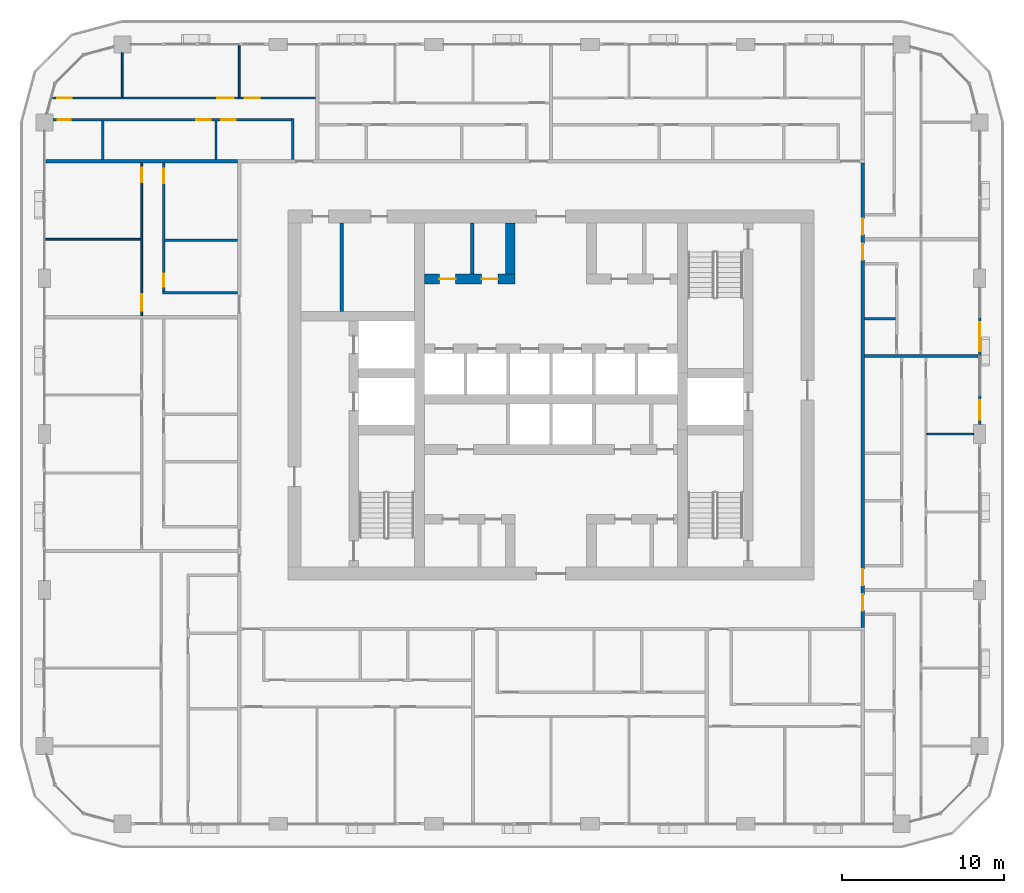
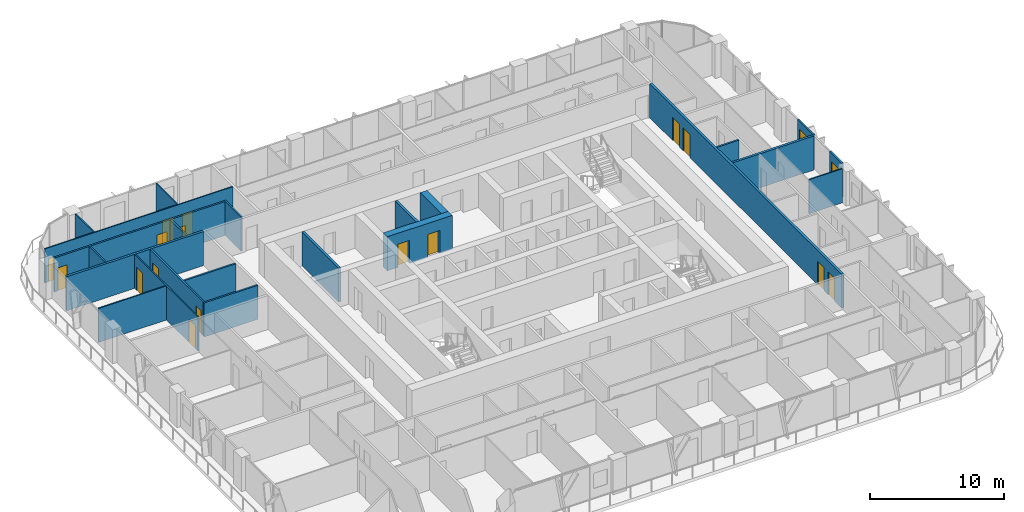
# One storey, part 13 of 22: 23 walls, 17 doors, 1 window, 18 openings.
"""IFC4 building model written with IfcOpenShell, lengths in metres."""

from ifc_helpers import new_model, si_unit, direction, frame, frame_2d, origin, place, context, subcontext, project, spatial, rectangle, extrude, material, layer, layer_set, type_object, element, fill, save


model = new_model("IFC4")

# Units and contexts
model_context = context("Model", 3, precision=1e-05, world=origin(), true_north=direction((0.0, 1.0)))
body_context = subcontext(model_context, "Body", "Model", "MODEL_VIEW")
ifc_project = project(units=[si_unit("LENGTHUNIT", "METRE"), si_unit("AREAUNIT", "SQUARE_METRE"), si_unit("VOLUMEUNIT", "CUBIC_METRE"), si_unit("PLANEANGLEUNIT", "RADIAN"), si_unit("MASSUNIT", "GRAM", prefix="KILO")], contexts=[model_context])

# Site, building, storey
site_placement = place(None, origin())
site = spatial("IfcSite", under=ifc_project, at=site_placement, CompositionType="ELEMENT")
building_placement = place(site_placement, origin())
building = spatial("IfcBuilding", under=site, at=building_placement, Name="Madar Terraces", CompositionType="ELEMENT")
storey_placement = place(building_placement, frame((0.0, 0.0, 170.0)))
storey = spatial("IfcBuildingStorey", under=building, at=storey_placement, Name="L44", CompositionType="ELEMENT", Elevation=170.0)

# Wall, openings, doors
ifc_material_1 = material(Name="Concrete C70/85", Category="concrete")
ifc_layer_1 = layer(ifc_material_1, 0.60009765625)
ifc_layer_set_1 = layer_set([ifc_layer_1], Name="Concrete C70/85 (CIW3 RC wall 600)")
wall_type_1 = type_object("IfcWallType", Name="CIW3 RC wall 600", PredefinedType="SHEAR", material=ifc_layer_set_1)
wall_1_placement = place(storey_placement, frame((23.39990234375, 33.550048828125, 0.0), z_axis=(0.0, 0.0, 1.0), x_axis=(1.0, 0.0, 0.0)))
wall_1 = element("IfcWall", 1, at=wall_1_placement, inside=storey, type_object=wall_type_1, Name="CORE SHAFT WALL", PredefinedType="SHEAR", context=body_context, shape_type="SweptSolid", body=[
    extrude(rectangle(XDim=5.60009765625, YDim=0.60009765625, at=frame_2d((2.800048828125, 0.0))), origin(), (0.0, 0.0, 1.0), 3.10009765625),
])
opening_1_placement = place(wall_1_placement, frame((0.925048828125, 0.0, 0.0)))
opening_1 = element("IfcOpeningElement", 2, at=opening_1_placement, cuts=wall_1, Name="Opening KD2", PredefinedType="OPENING", context=body_context, shape_type="SweptSolid", body=[
    extrude(rectangle(XDim=1.0, YDim=2.10009765625, at=frame_2d((0.5, 1.050048828125))), frame((0.0, 0.31005859375, 0.0), z_axis=(0.0, -1.0, 0.0), x_axis=(1.0, 0.0, 0.0)), (0.0, 0.0, 1.0), 0.6201171875),
])
opening_2_placement = place(wall_1_placement, frame((3.52490234375, 0.0, 0.0)))
opening_2 = element("IfcOpeningElement", 3, at=opening_2_placement, cuts=wall_1, Name="Opening KD2", PredefinedType="OPENING", context=body_context, shape_type="SweptSolid", body=[
    extrude(rectangle(XDim=1.0, YDim=2.10009765625, at=frame_2d((0.5, 1.050048828125))), frame((0.0, 0.31005859375, 0.0), z_axis=(0.0, -1.0, 0.0), x_axis=(1.0, 0.0, 0.0)), (0.0, 0.0, 1.0), 0.6201171875),
])
ifc_material_2 = material(Name="Steel door leaf", Category="steel")
door_type_1 = type_object("IfcDoorType", Name="Service room door 1000 x 2100", OperationType="NOTDEFINED", PredefinedType="DOOR", material=ifc_material_2)
door_1_placement = place(opening_1_placement, frame((1.0, 0.0, 0.0), z_axis=(0.0, 0.0, 1.0), x_axis=(-1.0, 0.0, 0.0)))
door_1 = element("IfcDoor", 4, at=door_1_placement, inside=storey, type_object=door_type_1, Name="SERVICE ROOM DOOR", OperationType="SINGLE_SWING_RIGHT", OverallHeight=2.10009765625, OverallWidth=1.0, PredefinedType="DOOR", context=body_context, shape_type="SweptSolid", body=[
    extrude(rectangle(XDim=1.0, YDim=2.10009765625, at=frame_2d((0.5, 1.050048828125))), frame((0.0, 0.02490234375, 0.0), z_axis=(0.0, -1.0, 0.0), x_axis=(1.0, 0.0, 0.0)), (0.0, 0.0, 1.0), 0.050048828125),
])
fill(opening_1, door_1)
door_2_placement = place(opening_2_placement, frame((1.0, 0.0, 0.0), z_axis=(0.0, 0.0, 1.0), x_axis=(-1.0, 0.0, 0.0)))
door_2 = element("IfcDoor", 5, at=door_2_placement, inside=storey, type_object=door_type_1, Name="SERVICE ROOM DOOR", OperationType="SINGLE_SWING_LEFT", OverallHeight=2.10009765625, OverallWidth=1.0, PredefinedType="DOOR", context=body_context, shape_type="SweptSolid", body=[
    extrude(rectangle(XDim=1.0, YDim=2.10009765625, at=frame_2d((0.5, 1.050048828125))), frame((0.0, 0.02490234375, 0.0), z_axis=(0.0, -1.0, 0.0), x_axis=(1.0, 0.0, 0.0)), (0.0, 0.0, 1.0), 0.050048828125),
])
fill(opening_2, door_2)

# Walls
wall_2_placement = place(storey_placement, frame((28.699951171875, 33.85009765625, 0.0), z_axis=(0.0, 0.0, 1.0), x_axis=(0.0, 1.0, 0.0)))
element("IfcWall", 6, at=wall_2_placement, inside=storey, type_object=wall_type_1, Name="CORE SHAFT WALL", PredefinedType="SHEAR", context=body_context, shape_type="SweptSolid", body=[
    extrude(rectangle(XDim=3.14990234375, YDim=0.60009765625, at=frame_2d((1.574951171875, 0.0))), origin(), (0.0, 0.0, 1.0), 3.10009765625),
])
ifc_material_3 = material(Name="Masonry blockwork", Category="masonry")
ifc_layer_2 = layer(ifc_material_3, 0.199951171875)
ifc_layer_set_2 = layer_set([ifc_layer_2], Name="Core partition 200 blockwork")
wall_type_2 = type_object("IfcWallType", Name="Core partition 200 blockwork", PredefinedType="PARTITIONING", material=ifc_layer_set_2)
wall_3_placement = place(storey_placement, frame((18.320068359375, 31.550048828125, 0.0), z_axis=(0.0, 0.0, 1.0), x_axis=(0.0, 1.0, 0.0)))
element("IfcWall", 7, at=wall_3_placement, inside=storey, type_object=wall_type_2, Name="SERVICE ROOM PARTITION", PredefinedType="PARTITIONING", context=body_context, shape_type="SweptSolid", body=[
    extrude(rectangle(XDim=5.449951171875, YDim=0.199951171875, at=frame_2d((2.72509765625, 0.0))), origin(), (0.0, 0.0, 1.0), 3.10009765625),
])
wall_4_placement = place(storey_placement, frame((26.35009765625, 33.85009765625, 0.0), z_axis=(0.0, 0.0, 1.0), x_axis=(0.0, 1.0, 0.0)))
element("IfcWall", 8, at=wall_4_placement, inside=storey, type_object=wall_type_2, Name="SERVICE ROOM PARTITION", PredefinedType="PARTITIONING", context=body_context, shape_type="SweptSolid", body=[
    extrude(rectangle(XDim=3.14990234375, YDim=0.199951171875, at=frame_2d((1.574951171875, 0.0))), origin(), (0.0, 0.0, 1.0), 3.10009765625),
])

# Wall, opening, window
ifc_material_4 = material(Name="Aluminium composite panel, black, over insulated backing", Category="aluminium")
ifc_layer_3 = layer(ifc_material_4, 0.14990234375)
ifc_layer_set_3 = layer_set([ifc_layer_3], Name="Facade bay panel 150")
wall_type_3 = type_object("IfcWallType", Name="Facade bay panel 150", PredefinedType="SOLIDWALL", material=ifc_layer_set_3)
wall_5_placement = place(storey_placement, frame((57.60009765625, 24.574951171875, 0.0), z_axis=(0.0, 0.0, 1.0), x_axis=(0.0, 1.0, 0.0)))
wall_5 = element("IfcWall", 9, at=wall_5_placement, inside=storey, type_object=wall_type_3, Name="Facade bay panel", PredefinedType="SOLIDWALL", context=body_context, shape_type="SweptSolid", body=[
    extrude(rectangle(XDim=1.824951171875, YDim=0.14990234375, at=frame_2d((0.91259765625, 0.0))), origin(), (0.0, 0.0, 1.0), 3.10009765625),
])
opening_3_placement = place(wall_5_placement, frame((0.3125, 0.0, 0.89990234375)))
opening_3 = element("IfcOpeningElement", 10, at=opening_3_placement, cuts=wall_5, Name="Opening W1", PredefinedType="OPENING", context=body_context, shape_type="SweptSolid", body=[
    extrude(rectangle(XDim=1.199951171875, YDim=1.39990234375, at=frame_2d((0.60009765625, 0.699951171875))), frame((0.0, 0.0849609375, 0.0), z_axis=(0.0, -1.0, 0.0), x_axis=(1.0, 0.0, 0.0)), (0.0, 0.0, 1.0), 0.169921875),
])
ifc_material_5 = material(Name="Glass, clear, with black aluminium frame", Category="aluminium")
window_type = type_object("IfcWindowType", Name="Vent window 1200 x 1400", PartitioningType="SINGLE_PANEL", PredefinedType="WINDOW", material=ifc_material_5)
window_placement = place(opening_3_placement, origin())
window = element("IfcWindow", 11, at=window_placement, inside=storey, type_object=window_type, Name="Operable vent window", OverallHeight=1.39990234375, OverallWidth=1.199951171875, PartitioningType="SINGLE_PANEL", PredefinedType="WINDOW", context=body_context, shape_type="SweptSolid", body=[
    extrude(rectangle(XDim=1.199951171875, YDim=1.39990234375, at=frame_2d((0.60009765625, 0.699951171875))), frame((0.0, 0.030029296875, 0.0), z_axis=(0.0, -1.0, 0.0), x_axis=(1.0, 0.0, 0.0)), (0.0, 0.0, 1.0), 0.06005859375),
])
fill(opening_3, window)

# Wall, opening, door
wall_6_placement = place(storey_placement, frame((57.60009765625, 28.800048828125, 0.0), z_axis=(0.0, 0.0, 1.0), x_axis=(0.0, 1.0, 0.0)))
wall_6 = element("IfcWall", 12, at=wall_6_placement, inside=storey, type_object=wall_type_3, Name="Facade bay panel", PredefinedType="SOLIDWALL", context=body_context, shape_type="SweptSolid", body=[
    extrude(rectangle(XDim=2.39990234375, YDim=0.14990234375, at=frame_2d((1.199951171875, 0.0))), origin(), (0.0, 0.0, 1.0), 3.10009765625),
])
opening_4_placement = place(wall_6_placement, frame((0.300048828125, 0.0, 0.0)))
opening_4 = element("IfcOpeningElement", 13, at=opening_4_placement, cuts=wall_6, Name="Opening ED1", PredefinedType="OPENING", context=body_context, shape_type="SweptSolid", body=[
    extrude(rectangle(XDim=1.800048828125, YDim=2.39990234375, at=frame_2d((0.89990234375, 1.199951171875))), frame((0.0, 0.0849609375, 0.0), z_axis=(0.0, -1.0, 0.0), x_axis=(1.0, 0.0, 0.0)), (0.0, 0.0, 1.0), 0.169921875),
])
ifc_material_6 = material(Name="Glass, clear, with black aluminium frame", Category="aluminium")
door_type_2 = type_object("IfcDoorType", Name="Balcony and terrace sliding door 1800 x 2400", OperationType="SLIDING_TO_LEFT", PredefinedType="DOOR", material=ifc_material_6)
door_3_placement = place(opening_4_placement, origin())
door_3 = element("IfcDoor", 14, at=door_3_placement, inside=storey, type_object=door_type_2, Name="Balcony door", OperationType="SLIDING_TO_RIGHT", OverallHeight=2.39990234375, OverallWidth=1.800048828125, PredefinedType="DOOR", context=body_context, shape_type="SweptSolid", body=[
    extrude(rectangle(XDim=1.800048828125, YDim=2.39990234375, at=frame_2d((0.89990234375, 1.199951171875))), frame((0.0, 0.02490234375, 0.0), z_axis=(0.0, -1.0, 0.0), x_axis=(1.0, 0.0, 0.0)), (0.0, 0.0, 1.0), 0.050048828125),
])
fill(opening_4, door_3)

# Walls
ifc_material_7 = material(Name="Gypsum board on steel studs", Category="steel")
ifc_layer_4 = layer(ifc_material_7, 0.10009765625)
ifc_layer_set_4 = layer_set([ifc_layer_4], Name="Flat partition 100")
wall_type_4 = type_object("IfcWallType", Name="Flat partition 100", PredefinedType="PARTITIONING", material=ifc_layer_set_4)
wall_7_placement = place(storey_placement, frame((54.35009765625, 24.0, 0.0), z_axis=(0.0, 0.0, 1.0), x_axis=(1.0, 0.0, 0.0)))
element("IfcWall", 15, at=wall_7_placement, inside=storey, type_object=wall_type_4, Name="Flat partition 100", PredefinedType="PARTITIONING", context=body_context, shape_type="SweptSolid", body=[
    extrude(rectangle(XDim=2.875, YDim=0.10009765625, at=frame_2d((1.4375, 0.0))), origin(), (0.0, 0.0, 1.0), 3.10009765625),
])
wall_8_placement = place(storey_placement, frame((12.0, 44.75, 0.0), z_axis=(0.0, 0.0, 1.0), x_axis=(0.0, 1.0, 0.0)))
element("IfcWall", 16, at=wall_8_placement, inside=storey, type_object=wall_type_4, Name="Flat partition 100", PredefinedType="PARTITIONING", context=body_context, shape_type="SweptSolid", body=[
    extrude(rectangle(XDim=3.14990234375, YDim=0.10009765625, at=frame_2d((1.574951171875, 0.0))), origin(), (0.0, 0.0, 1.0), 3.10009765625),
])
wall_9_placement = place(storey_placement, frame((4.800048828125, 44.75, 0.0), z_axis=(0.0, 0.0, 1.0), x_axis=(0.0, 1.0, 0.0)))
element("IfcWall", 17, at=wall_9_placement, inside=storey, type_object=wall_type_4, Name="Flat partition 100", PredefinedType="PARTITIONING", context=body_context, shape_type="SweptSolid", body=[
    extrude(rectangle(XDim=2.72509765625, YDim=0.10009765625, at=frame_2d((1.362548828125, 0.0))), origin(), (0.0, 0.0, 1.0), 3.10009765625),
])

# Wall, openings, doors
wall_10_placement = place(storey_placement, frame((0.501953125, 44.699951171875, 0.0), z_axis=(0.0, 0.0, 1.0), x_axis=(1.0, 0.0, 0.0)))
wall_10 = element("IfcWall", 18, at=wall_10_placement, inside=storey, type_object=wall_type_4, Name="Flat partition 100", PredefinedType="PARTITIONING", context=body_context, shape_type="SweptSolid", body=[
    extrude(rectangle(XDim=16.197998046875, YDim=0.10009765625, at=frame_2d((8.09912109375, 0.0))), origin(), (0.0, 0.0, 1.0), 3.10009765625),
])
opening_5_placement = place(wall_10_placement, frame((11.84814453125, 0.0, 0.0)))
opening_5 = element("IfcOpeningElement", 19, at=opening_5_placement, cuts=wall_10, Name="Opening D2", PredefinedType="OPENING", context=body_context, shape_type="SweptSolid", body=[
    extrude(rectangle(XDim=0.89990234375, YDim=2.10009765625, at=frame_2d((0.449951171875, 1.050048828125))), frame((0.0, 0.06005859375, 0.0), z_axis=(0.0, -1.0, 0.0), x_axis=(1.0, 0.0, 0.0)), (0.0, 0.0, 1.0), 0.1201171875),
])
opening_6_placement = place(wall_10_placement, frame((10.148193359375, 0.0, 0.0)))
opening_6 = element("IfcOpeningElement", 20, at=opening_6_placement, cuts=wall_10, Name="Opening D3", PredefinedType="OPENING", context=body_context, shape_type="SweptSolid", body=[
    extrude(rectangle(XDim=1.0, YDim=2.10009765625, at=frame_2d((0.5, 1.050048828125))), frame((0.0, 0.06005859375, 0.0), z_axis=(0.0, -1.0, 0.0), x_axis=(1.0, 0.0, 0.0)), (0.0, 0.0, 1.0), 0.1201171875),
])
opening_7_placement = place(wall_10_placement, frame((0.300048828125, 0.0, 0.0)))
opening_7 = element("IfcOpeningElement", 21, at=opening_7_placement, cuts=wall_10, Name="Opening D2", PredefinedType="OPENING", context=body_context, shape_type="SweptSolid", body=[
    extrude(rectangle(XDim=0.89990234375, YDim=2.10009765625, at=frame_2d((0.449951171875, 1.050048828125))), frame((0.0, 0.06005859375, 0.0), z_axis=(0.0, -1.0, 0.0), x_axis=(1.0, 0.0, 0.0)), (0.0, 0.0, 1.0), 0.1201171875),
])
ifc_material_8 = material(Name="Timber door leaf", Category="wood")
door_type_3 = type_object("IfcDoorType", Name="Flat living room door 1000", OperationType="NOTDEFINED", PredefinedType="DOOR", material=ifc_material_8)
door_4_placement = place(opening_6_placement, origin())
door_4 = element("IfcDoor", 22, at=door_4_placement, inside=storey, type_object=door_type_3, Name="Flat living room door 1000", OperationType="SINGLE_SWING_RIGHT", OverallHeight=2.10009765625, OverallWidth=1.0, PredefinedType="DOOR", context=body_context, shape_type="SweptSolid", body=[
    extrude(rectangle(XDim=1.0, YDim=2.10009765625, at=frame_2d((0.5, 1.050048828125))), frame((0.0, 0.02490234375, 0.0), z_axis=(0.0, -1.0, 0.0), x_axis=(1.0, 0.0, 0.0)), (0.0, 0.0, 1.0), 0.050048828125),
])
fill(opening_6, door_4)
ifc_material_9 = material(Name="Timber door leaf", Category="wood")
door_type_4 = type_object("IfcDoorType", Name="Flat room door 900", OperationType="NOTDEFINED", PredefinedType="DOOR", material=ifc_material_9)
door_5_placement = place(opening_5_placement, origin())
door_5 = element("IfcDoor", 23, at=door_5_placement, inside=storey, type_object=door_type_4, Name="Flat room door 900", OperationType="SINGLE_SWING_LEFT", OverallHeight=2.10009765625, OverallWidth=0.89990234375, PredefinedType="DOOR", context=body_context, shape_type="SweptSolid", body=[
    extrude(rectangle(XDim=0.89990234375, YDim=2.10009765625, at=frame_2d((0.449951171875, 1.050048828125))), frame((0.0, 0.02490234375, 0.0), z_axis=(0.0, -1.0, 0.0), x_axis=(1.0, 0.0, 0.0)), (0.0, 0.0, 1.0), 0.050048828125),
])
fill(opening_5, door_5)
door_6_placement = place(opening_7_placement, origin())
door_6 = element("IfcDoor", 24, at=door_6_placement, inside=storey, type_object=door_type_4, Name="Flat room door 900", OperationType="SINGLE_SWING_LEFT", OverallHeight=2.10009765625, OverallWidth=0.89990234375, PredefinedType="DOOR", context=body_context, shape_type="SweptSolid", body=[
    extrude(rectangle(XDim=0.89990234375, YDim=2.10009765625, at=frame_2d((0.449951171875, 1.050048828125))), frame((0.0, 0.02490234375, 0.0), z_axis=(0.0, -1.0, 0.0), x_axis=(1.0, 0.0, 0.0)), (0.0, 0.0, 1.0), 0.050048828125),
])
fill(opening_7, door_6)

# Wall
wall_11_placement = place(storey_placement, frame((5.949951171875, 36.0, 0.0), z_axis=(0.0, 0.0, 1.0), x_axis=(-1.0, 0.0, 0.0)))
element("IfcWall", 25, at=wall_11_placement, inside=storey, type_object=wall_type_4, Name="Flat partition 100", PredefinedType="PARTITIONING", context=body_context, shape_type="SweptSolid", body=[
    extrude(rectangle(XDim=5.849853515625, YDim=0.10009765625, at=frame_2d((2.9248046875, 0.0))), origin(), (0.0, 0.0, 1.0), 3.10009765625),
])

# Wall, openings, doors
wall_12_placement = place(storey_placement, frame((6.0, 31.300048828125, 0.0), z_axis=(0.0, 0.0, 1.0), x_axis=(0.0, 1.0, 0.0)))
wall_12 = element("IfcWall", 26, at=wall_12_placement, inside=storey, type_object=wall_type_4, Name="Flat partition 100", PredefinedType="PARTITIONING", context=body_context, shape_type="SweptSolid", body=[
    extrude(rectangle(XDim=9.39990234375, YDim=0.10009765625, at=frame_2d((4.699951171875, 0.0))), origin(), (0.0, 0.0, 1.0), 3.10009765625),
])
opening_8_placement = place(wall_12_placement, frame((0.300048828125, 0.0, 0.0)))
opening_8 = element("IfcOpeningElement", 27, at=opening_8_placement, cuts=wall_12, Name="Opening D3", PredefinedType="OPENING", context=body_context, shape_type="SweptSolid", body=[
    extrude(rectangle(XDim=1.0, YDim=2.10009765625, at=frame_2d((0.5, 1.050048828125))), frame((0.0, 0.06005859375, 0.0), z_axis=(0.0, -1.0, 0.0), x_axis=(1.0, 0.0, 0.0)), (0.0, 0.0, 1.0), 0.1201171875),
])
opening_9_placement = place(wall_12_placement, frame((8.199951171875, 0.0, 0.0)))
opening_9 = element("IfcOpeningElement", 28, at=opening_9_placement, cuts=wall_12, Name="Opening D2", PredefinedType="OPENING", context=body_context, shape_type="SweptSolid", body=[
    extrude(rectangle(XDim=0.89990234375, YDim=2.10009765625, at=frame_2d((0.449951171875, 1.050048828125))), frame((0.0, 0.06005859375, 0.0), z_axis=(0.0, -1.0, 0.0), x_axis=(1.0, 0.0, 0.0)), (0.0, 0.0, 1.0), 0.1201171875),
])
door_7_placement = place(opening_8_placement, origin())
door_7 = element("IfcDoor", 29, at=door_7_placement, inside=storey, type_object=door_type_3, Name="Flat living room door 1000", OperationType="SINGLE_SWING_LEFT", OverallHeight=2.10009765625, OverallWidth=1.0, PredefinedType="DOOR", context=body_context, shape_type="SweptSolid", body=[
    extrude(rectangle(XDim=1.0, YDim=2.10009765625, at=frame_2d((0.5, 1.050048828125))), frame((0.0, 0.02490234375, 0.0), z_axis=(0.0, -1.0, 0.0), x_axis=(1.0, 0.0, 0.0)), (0.0, 0.0, 1.0), 0.050048828125),
])
fill(opening_8, door_7)
door_8_placement = place(opening_9_placement, origin())
door_8 = element("IfcDoor", 30, at=door_8_placement, inside=storey, type_object=door_type_4, Name="Flat room door 900", OperationType="SINGLE_SWING_RIGHT", OverallHeight=2.10009765625, OverallWidth=0.89990234375, PredefinedType="DOOR", context=body_context, shape_type="SweptSolid", body=[
    extrude(rectangle(XDim=0.89990234375, YDim=2.10009765625, at=frame_2d((0.449951171875, 1.050048828125))), frame((0.0, 0.02490234375, 0.0), z_axis=(0.0, -1.0, 0.0), x_axis=(1.0, 0.0, 0.0)), (0.0, 0.0, 1.0), 0.050048828125),
])
fill(opening_9, door_8)

ifc_material_10 = material(Name="Lightweight blockwork", Category="masonry")
ifc_layer_5 = layer(ifc_material_10, 0.199951171875)
ifc_layer_set_5 = layer_set([ifc_layer_5], Name="Flat party and entrance wall 200")
wall_type_5 = type_object("IfcWallType", Name="Flat party and entrance wall 200", PredefinedType="PARTITIONING", material=ifc_layer_set_5)
wall_13_placement = place(storey_placement, frame((50.39990234375, 40.699951171875, 0.0), z_axis=(0.0, 0.0, 1.0), x_axis=(0.0, -1.0, 0.0)))
wall_13 = element("IfcWall", 31, at=wall_13_placement, inside=storey, type_object=wall_type_5, Name="Flat party and entrance wall 200", PredefinedType="PARTITIONING", context=body_context, shape_type="SweptSolid", body=[
    extrude(rectangle(XDim=28.599853515625, YDim=0.199951171875, at=frame_2d((14.2998046875, 0.0))), origin(), (0.0, 0.0, 1.0), 3.10009765625),
])
opening_10_placement = place(wall_13_placement, frame((26.574951171875, 0.0, 0.0)))
opening_10 = element("IfcOpeningElement", 32, at=opening_10_placement, cuts=wall_13, Name="Opening D1", PredefinedType="OPENING", context=body_context, shape_type="SweptSolid", body=[
    extrude(rectangle(XDim=1.0, YDim=2.10009765625, at=frame_2d((0.5, 1.050048828125))), frame((0.0, 0.10986328125, 0.0), z_axis=(0.0, -1.0, 0.0), x_axis=(1.0, 0.0, 0.0)), (0.0, 0.0, 1.0), 0.219970703125),
])
opening_11_placement = place(wall_13_placement, frame((25.02490234375, 0.0, 0.0)))
opening_11 = element("IfcOpeningElement", 33, at=opening_11_placement, cuts=wall_13, Name="Opening D1", PredefinedType="OPENING", context=body_context, shape_type="SweptSolid", body=[
    extrude(rectangle(XDim=1.0, YDim=2.10009765625, at=frame_2d((0.5, 1.050048828125))), frame((0.0, 0.10986328125, 0.0), z_axis=(0.0, -1.0, 0.0), x_axis=(1.0, 0.0, 0.0)), (0.0, 0.0, 1.0), 0.219970703125),
])
opening_12_placement = place(wall_13_placement, frame((4.97509765625, 0.0, 0.0)))
opening_12 = element("IfcOpeningElement", 34, at=opening_12_placement, cuts=wall_13, Name="Opening D1", PredefinedType="OPENING", context=body_context, shape_type="SweptSolid", body=[
    extrude(rectangle(XDim=1.0, YDim=2.10009765625, at=frame_2d((0.5, 1.050048828125))), frame((0.0, 0.10986328125, 0.0), z_axis=(0.0, -1.0, 0.0), x_axis=(1.0, 0.0, 0.0)), (0.0, 0.0, 1.0), 0.219970703125),
])
opening_13_placement = place(wall_13_placement, frame((3.425048828125, 0.0, 0.0)))
opening_13 = element("IfcOpeningElement", 35, at=opening_13_placement, cuts=wall_13, Name="Opening D1", PredefinedType="OPENING", context=body_context, shape_type="SweptSolid", body=[
    extrude(rectangle(XDim=1.0, YDim=2.10009765625, at=frame_2d((0.5, 1.050048828125))), frame((0.0, 0.10986328125, 0.0), z_axis=(0.0, -1.0, 0.0), x_axis=(1.0, 0.0, 0.0)), (0.0, 0.0, 1.0), 0.219970703125),
])
ifc_material_11 = material(Name="Timber fire door leaf", Category="wood")
door_type_5 = type_object("IfcDoorType", Name="Flat entrance door 1000 FD30S", OperationType="NOTDEFINED", PredefinedType="DOOR", material=ifc_material_11)
door_9_placement = place(opening_10_placement, origin())
door_9 = element("IfcDoor", 36, at=door_9_placement, inside=storey, type_object=door_type_5, Name="Flat entrance door 1000 FD30S", OperationType="SINGLE_SWING_LEFT", OverallHeight=2.10009765625, OverallWidth=1.0, PredefinedType="DOOR", context=body_context, shape_type="SweptSolid", body=[
    extrude(rectangle(XDim=1.0, YDim=2.10009765625, at=frame_2d((0.5, 1.050048828125))), frame((0.0, 0.02490234375, 0.0), z_axis=(0.0, -1.0, 0.0), x_axis=(1.0, 0.0, 0.0)), (0.0, 0.0, 1.0), 0.050048828125),
])
fill(opening_10, door_9)
door_10_placement = place(opening_11_placement, origin())
door_10 = element("IfcDoor", 37, at=door_10_placement, inside=storey, type_object=door_type_5, Name="Flat entrance door 1000 FD30S", OperationType="SINGLE_SWING_RIGHT", OverallHeight=2.10009765625, OverallWidth=1.0, PredefinedType="DOOR", context=body_context, shape_type="SweptSolid", body=[
    extrude(rectangle(XDim=1.0, YDim=2.10009765625, at=frame_2d((0.5, 1.050048828125))), frame((0.0, 0.02490234375, 0.0), z_axis=(0.0, -1.0, 0.0), x_axis=(1.0, 0.0, 0.0)), (0.0, 0.0, 1.0), 0.050048828125),
])
fill(opening_11, door_10)
door_11_placement = place(opening_12_placement, origin())
door_11 = element("IfcDoor", 38, at=door_11_placement, inside=storey, type_object=door_type_5, Name="Flat entrance door 1000 FD30S", OperationType="SINGLE_SWING_LEFT", OverallHeight=2.10009765625, OverallWidth=1.0, PredefinedType="DOOR", context=body_context, shape_type="SweptSolid", body=[
    extrude(rectangle(XDim=1.0, YDim=2.10009765625, at=frame_2d((0.5, 1.050048828125))), frame((0.0, 0.02490234375, 0.0), z_axis=(0.0, -1.0, 0.0), x_axis=(1.0, 0.0, 0.0)), (0.0, 0.0, 1.0), 0.050048828125),
])
fill(opening_12, door_11)
door_12_placement = place(opening_13_placement, origin())
door_12 = element("IfcDoor", 39, at=door_12_placement, inside=storey, type_object=door_type_5, Name="Flat entrance door 1000 FD30S", OperationType="SINGLE_SWING_RIGHT", OverallHeight=2.10009765625, OverallWidth=1.0, PredefinedType="DOOR", context=body_context, shape_type="SweptSolid", body=[
    extrude(rectangle(XDim=1.0, YDim=2.10009765625, at=frame_2d((0.5, 1.050048828125))), frame((0.0, 0.02490234375, 0.0), z_axis=(0.0, -1.0, 0.0), x_axis=(1.0, 0.0, 0.0)), (0.0, 0.0, 1.0), 0.050048828125),
])
fill(opening_13, door_12)

# Walls
wall_14_placement = place(storey_placement, frame((50.5, 28.800048828125, 0.0), z_axis=(0.0, 0.0, 1.0), x_axis=(1.0, 0.0, 0.0)))
element("IfcWall", 40, at=wall_14_placement, inside=storey, type_object=wall_type_5, Name="Flat party and entrance wall 200", PredefinedType="PARTITIONING", context=body_context, shape_type="SweptSolid", body=[
    extrude(rectangle(XDim=7.0, YDim=0.199951171875, at=frame_2d((3.5, 0.0))), origin(), (0.0, 0.0, 1.0), 3.10009765625),
])
wall_15_placement = place(storey_placement, frame((0.10009765625, 40.800048828125, 0.0), z_axis=(0.0, 0.0, 1.0), x_axis=(1.0, 0.0, 0.0)))
element("IfcWall", 41, at=wall_15_placement, inside=storey, type_object=wall_type_5, Name="Flat party and entrance wall 200", PredefinedType="PARTITIONING", context=body_context, shape_type="SweptSolid", body=[
    extrude(rectangle(XDim=11.7998046875, YDim=0.199951171875, at=frame_2d((5.89990234375, 0.0))), origin(), (0.0, 0.0, 1.0), 3.10009765625),
])
ifc_material_12 = material(Name="Lightweight blockwork", Category="masonry")
ifc_layer_6 = layer(ifc_material_12, 0.14990234375)
ifc_layer_set_6 = layer_set([ifc_layer_6], Name="Flat wet-room partition 150")
wall_type_6 = type_object("IfcWallType", Name="Flat wet-room partition 150", PredefinedType="PARTITIONING", material=ifc_layer_set_6)
wall_16_placement = place(storey_placement, frame((50.5, 31.110107421875, 0.0), z_axis=(0.0, 0.0, 1.0), x_axis=(1.0, 0.0, 0.0)))
element("IfcWall", 42, at=wall_16_placement, inside=storey, type_object=wall_type_6, Name="Flat wet-room partition 150", PredefinedType="PARTITIONING", context=body_context, shape_type="SweptSolid", body=[
    extrude(rectangle(XDim=1.925048828125, YDim=0.14990234375, at=frame_2d((0.96240234375, 0.0))), origin(), (0.0, 0.0, 1.0), 3.10009765625),
])
for number, where, z_axis, x_axis, name in (
    (43, (10.5712890625, 40.89990234375, 0.0), (0.0, 0.0, 1.0), (0.0, 1.0, 0.0), "Flat wet-room partition 150"),
    (44, (3.59033203125, 40.89990234375, 0.0), (0.0, 0.0, 1.0), (0.0, 1.0, 0.0), "Flat wet-room partition 150"),
):
    element("IfcWall", number, at=place(storey_placement, frame(where, z_axis=z_axis, x_axis=x_axis)), inside=storey, type_object=wall_type_6, Name=name, PredefinedType="PARTITIONING", context=body_context, shape_type="SweptSolid", body=[
        extrude(rectangle(XDim=2.375, YDim=0.14990234375, at=frame_2d((1.1875, 0.0))), origin(), (0.0, 0.0, 1.0), 3.10009765625),
    ])
wall_17_placement = place(storey_placement, frame((15.300048828125, 40.89990234375, 0.0), z_axis=(0.0, 0.0, 1.0), x_axis=(0.0, 1.0, 0.0)))
element("IfcWall", 45, at=wall_17_placement, inside=storey, type_object=wall_type_6, Name="Flat wet-room partition 150", PredefinedType="PARTITIONING", context=body_context, shape_type="SweptSolid", body=[
    extrude(rectangle(XDim=2.525146484375, YDim=0.14990234375, at=frame_2d((1.2626953125, 0.0))), origin(), (0.0, 0.0, 1.0), 3.10009765625),
])

# Wall, openings, doors
wall_18_placement = place(storey_placement, frame((15.22509765625, 43.35009765625, 0.0), z_axis=(0.0, 0.0, 1.0), x_axis=(-1.0, 0.0, 0.0)))
wall_18 = element("IfcWall", 46, at=wall_18_placement, inside=storey, type_object=wall_type_6, Name="Flat wet-room partition 150", PredefinedType="PARTITIONING", context=body_context, shape_type="SweptSolid", body=[
    extrude(rectangle(XDim=14.7001953125, YDim=0.14990234375, at=frame_2d((7.35009765625, 0.0))), origin(), (0.0, 0.0, 1.0), 3.10009765625),
])
opening_14_placement = place(wall_18_placement, frame((3.4287109375, 0.0, 0.0)))
opening_14 = element("IfcOpeningElement", 47, at=opening_14_placement, cuts=wall_18, Name="Opening D5", PredefinedType="OPENING", context=body_context, shape_type="SweptSolid", body=[
    extrude(rectangle(XDim=0.89990234375, YDim=2.10009765625, at=frame_2d((0.449951171875, 1.050048828125))), frame((0.0, 0.0849609375, 0.0), z_axis=(0.0, -1.0, 0.0), x_axis=(1.0, 0.0, 0.0)), (0.0, 0.0, 1.0), 0.169921875),
])
opening_15_placement = place(wall_18_placement, frame((4.978759765625, 0.0, 0.0)))
opening_15 = element("IfcOpeningElement", 48, at=opening_15_placement, cuts=wall_18, Name="Opening D2", PredefinedType="OPENING", context=body_context, shape_type="SweptSolid", body=[
    extrude(rectangle(XDim=0.89990234375, YDim=2.10009765625, at=frame_2d((0.449951171875, 1.050048828125))), frame((0.0, 0.0849609375, 0.0), z_axis=(0.0, -1.0, 0.0), x_axis=(1.0, 0.0, 0.0)), (0.0, 0.0, 1.0), 0.169921875),
])
opening_16_placement = place(wall_18_placement, frame((13.60009765625, 0.0, 0.0)))
opening_16 = element("IfcOpeningElement", 49, at=opening_16_placement, cuts=wall_18, Name="Opening D4", PredefinedType="OPENING", context=body_context, shape_type="SweptSolid", body=[
    extrude(rectangle(XDim=0.800048828125, YDim=2.10009765625, at=frame_2d((0.39990234375, 1.050048828125))), frame((0.0, 0.0849609375, 0.0), z_axis=(0.0, -1.0, 0.0), x_axis=(1.0, 0.0, 0.0)), (0.0, 0.0, 1.0), 0.169921875),
])
ifc_material_13 = material(Name="Timber door leaf", Category="wood")
door_type_6 = type_object("IfcDoorType", Name="Flat accessible bathroom door 900", OperationType="NOTDEFINED", PredefinedType="DOOR", material=ifc_material_13)
door_13_placement = place(opening_14_placement, origin())
door_13 = element("IfcDoor", 50, at=door_13_placement, inside=storey, type_object=door_type_6, Name="Flat accessible bathroom door 900", OperationType="SINGLE_SWING_RIGHT", OverallHeight=2.10009765625, OverallWidth=0.89990234375, PredefinedType="DOOR", context=body_context, shape_type="SweptSolid", body=[
    extrude(rectangle(XDim=0.89990234375, YDim=2.10009765625, at=frame_2d((0.449951171875, 1.050048828125))), frame((0.0, 0.02490234375, 0.0), z_axis=(0.0, -1.0, 0.0), x_axis=(1.0, 0.0, 0.0)), (0.0, 0.0, 1.0), 0.050048828125),
])
fill(opening_14, door_13)
ifc_material_14 = material(Name="Timber door leaf", Category="wood")
door_type_7 = type_object("IfcDoorType", Name="Flat bathroom door 800", OperationType="NOTDEFINED", PredefinedType="DOOR", material=ifc_material_14)
door_14_placement = place(opening_16_placement, origin())
door_14 = element("IfcDoor", 51, at=door_14_placement, inside=storey, type_object=door_type_7, Name="Flat bathroom door 800", OperationType="SINGLE_SWING_RIGHT", OverallHeight=2.10009765625, OverallWidth=0.800048828125, PredefinedType="DOOR", context=body_context, shape_type="SweptSolid", body=[
    extrude(rectangle(XDim=0.800048828125, YDim=2.10009765625, at=frame_2d((0.39990234375, 1.050048828125))), frame((0.0, 0.02490234375, 0.0), z_axis=(0.0, -1.0, 0.0), x_axis=(1.0, 0.0, 0.0)), (0.0, 0.0, 1.0), 0.050048828125),
])
fill(opening_16, door_14)
door_15_placement = place(opening_15_placement, origin())
door_15 = element("IfcDoor", 52, at=door_15_placement, inside=storey, type_object=door_type_4, Name="Flat room door 900", OperationType="SINGLE_SWING_LEFT", OverallHeight=2.10009765625, OverallWidth=0.89990234375, PredefinedType="DOOR", context=body_context, shape_type="SweptSolid", body=[
    extrude(rectangle(XDim=0.89990234375, YDim=2.10009765625, at=frame_2d((0.449951171875, 1.050048828125))), frame((0.0, 0.02490234375, 0.0), z_axis=(0.0, -1.0, 0.0), x_axis=(1.0, 0.0, 0.0)), (0.0, 0.0, 1.0), 0.050048828125),
])
fill(opening_15, door_15)

# Walls
wall_19_placement = place(storey_placement, frame((11.89990234375, 35.945068359375, 0.0), z_axis=(0.0, 0.0, 1.0), x_axis=(-1.0, 0.0, 0.0)))
element("IfcWall", 53, at=wall_19_placement, inside=storey, type_object=wall_type_6, Name="Flat wet-room partition 150", PredefinedType="PARTITIONING", context=body_context, shape_type="SweptSolid", body=[
    extrude(rectangle(XDim=4.474853515625, YDim=0.14990234375, at=frame_2d((2.2373046875, 0.0))), origin(), (0.0, 0.0, 1.0), 3.10009765625),
])
wall_20_placement = place(storey_placement, frame((11.89990234375, 32.699951171875, 0.0), z_axis=(0.0, 0.0, 1.0), x_axis=(-1.0, 0.0, 0.0)))
element("IfcWall", 54, at=wall_20_placement, inside=storey, type_object=wall_type_6, Name="Flat wet-room partition 150", PredefinedType="PARTITIONING", context=body_context, shape_type="SweptSolid", body=[
    extrude(rectangle(XDim=4.625, YDim=0.14990234375, at=frame_2d((2.3125, 0.0))), origin(), (0.0, 0.0, 1.0), 3.10009765625),
])

# Wall, openings, doors
wall_21_placement = place(storey_placement, frame((7.35009765625, 40.699951171875, 0.0), z_axis=(0.0, 0.0, 1.0), x_axis=(0.0, -1.0, 0.0)))
wall_21 = element("IfcWall", 55, at=wall_21_placement, inside=storey, type_object=wall_type_6, Name="Flat wet-room partition 150", PredefinedType="PARTITIONING", context=body_context, shape_type="SweptSolid", body=[
    extrude(rectangle(XDim=7.925048828125, YDim=0.14990234375, at=frame_2d((3.96240234375, 0.0))), origin(), (0.0, 0.0, 1.0), 3.10009765625),
])
opening_17_placement = place(wall_21_placement, frame((6.824951171875, 0.0, 0.0)))
opening_17 = element("IfcOpeningElement", 56, at=opening_17_placement, cuts=wall_21, Name="Opening D4", PredefinedType="OPENING", context=body_context, shape_type="SweptSolid", body=[
    extrude(rectangle(XDim=0.800048828125, YDim=2.10009765625, at=frame_2d((0.39990234375, 1.050048828125))), frame((0.0, 0.0849609375, 0.0), z_axis=(0.0, -1.0, 0.0), x_axis=(1.0, 0.0, 0.0)), (0.0, 0.0, 1.0), 0.169921875),
])
opening_18_placement = place(wall_21_placement, frame((0.35009765625, 0.0, 0.0)))
opening_18 = element("IfcOpeningElement", 57, at=opening_18_placement, cuts=wall_21, Name="Opening D2", PredefinedType="OPENING", context=body_context, shape_type="SweptSolid", body=[
    extrude(rectangle(XDim=0.89990234375, YDim=2.10009765625, at=frame_2d((0.449951171875, 1.050048828125))), frame((0.0, 0.0849609375, 0.0), z_axis=(0.0, -1.0, 0.0), x_axis=(1.0, 0.0, 0.0)), (0.0, 0.0, 1.0), 0.169921875),
])
door_16_placement = place(opening_17_placement, origin())
door_16 = element("IfcDoor", 58, at=door_16_placement, inside=storey, type_object=door_type_7, Name="Flat bathroom door 800", OperationType="SINGLE_SWING_RIGHT", OverallHeight=2.10009765625, OverallWidth=0.800048828125, PredefinedType="DOOR", context=body_context, shape_type="SweptSolid", body=[
    extrude(rectangle(XDim=0.800048828125, YDim=2.10009765625, at=frame_2d((0.39990234375, 1.050048828125))), frame((0.0, 0.02490234375, 0.0), z_axis=(0.0, -1.0, 0.0), x_axis=(1.0, 0.0, 0.0)), (0.0, 0.0, 1.0), 0.050048828125),
])
fill(opening_17, door_16)
door_17_placement = place(opening_18_placement, origin())
door_17 = element("IfcDoor", 59, at=door_17_placement, inside=storey, type_object=door_type_4, Name="Flat room door 900", OperationType="SINGLE_SWING_LEFT", OverallHeight=2.10009765625, OverallWidth=0.89990234375, PredefinedType="DOOR", context=body_context, shape_type="SweptSolid", body=[
    extrude(rectangle(XDim=0.89990234375, YDim=2.10009765625, at=frame_2d((0.449951171875, 1.050048828125))), frame((0.0, 0.02490234375, 0.0), z_axis=(0.0, -1.0, 0.0), x_axis=(1.0, 0.0, 0.0)), (0.0, 0.0, 1.0), 0.050048828125),
])
fill(opening_18, door_17)

save(model, "model.ifc")
